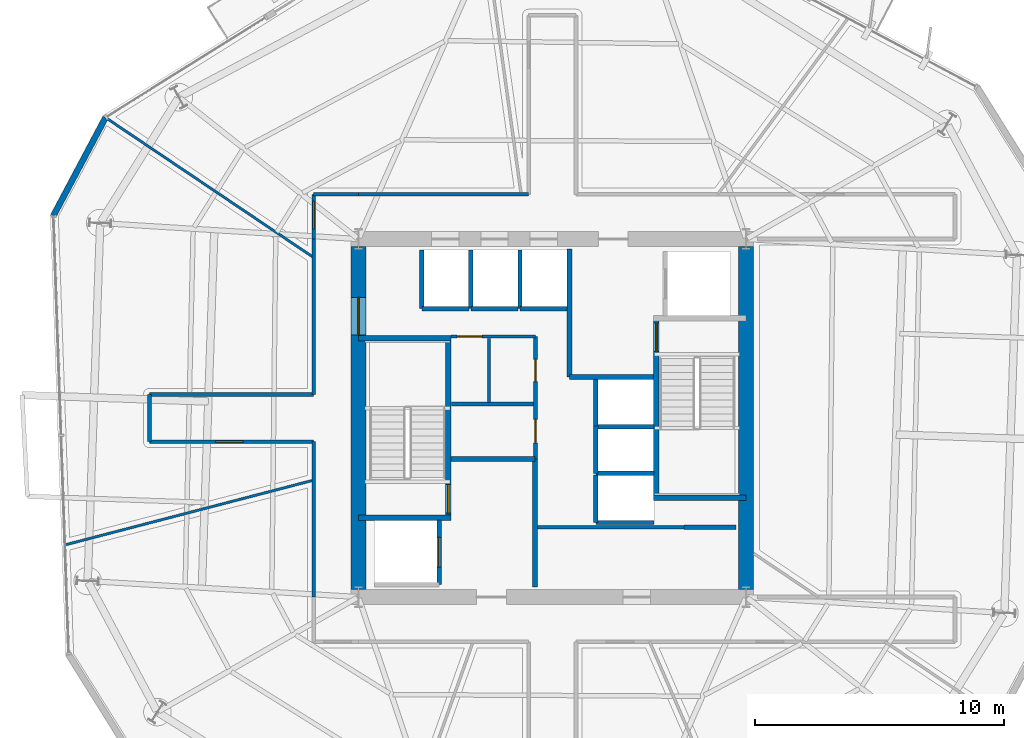
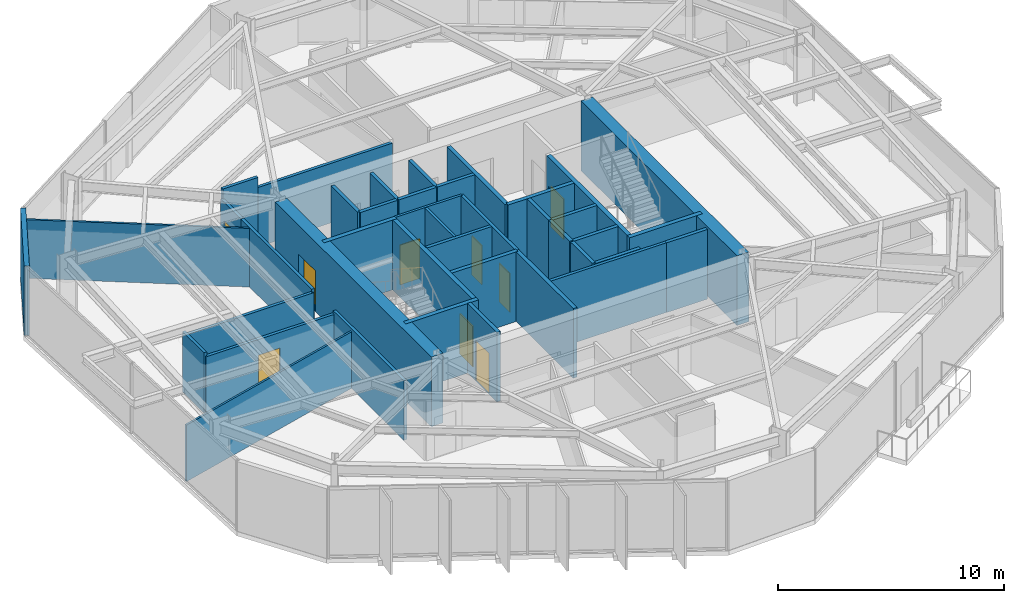
# One storey, part 7 of 12: 41 walls, 9 doors, 9 openings.
"""IFC4 building model written with IfcOpenShell, lengths in metres."""

from ifc_helpers import new_model, si_unit, direction, frame, frame_2d, origin, place, context, subcontext, project, spatial, rectangle, extrude, material, layer, layer_set, type_object, element, fill, save


model = new_model("IFC4")

# Units and contexts
model_context = context("Model", 3, precision=1e-05, world=origin(), true_north=direction((0.0, 1.0)))
body_context = subcontext(model_context, "Body", "Model", "MODEL_VIEW")
ifc_project = project(units=[si_unit("LENGTHUNIT", "METRE"), si_unit("AREAUNIT", "SQUARE_METRE"), si_unit("VOLUMEUNIT", "CUBIC_METRE"), si_unit("PLANEANGLEUNIT", "RADIAN"), si_unit("MASSUNIT", "GRAM", prefix="KILO")], contexts=[model_context])

# Site, building, storey
site_placement = place(None, origin())
site = spatial("IfcSite", under=ifc_project, at=site_placement, CompositionType="ELEMENT")
building_placement = place(site_placement, origin())
building = spatial("IfcBuilding", under=site, at=building_placement, Name="Kranzbogen Civic Tower", CompositionType="ELEMENT")
storey_placement = place(building_placement, frame((0.0, 0.0, 150.39990234375)))
storey = spatial("IfcBuildingStorey", under=building, at=storey_placement, Name="L36", CompositionType="ELEMENT", Elevation=150.39990234375)

# Walls
ifc_material_1 = material(Name="Double-Stud Acoustic Gypsum Partition")
ifc_layer_1 = layer(ifc_material_1, 0.14990234375, Name="Double-Stud Acoustic Gypsum Partition")
ifc_layer_set_1 = layer_set([ifc_layer_1], Name="Double-Stud Acoustic Gypsum Partition")
wall_type_1 = type_object("IfcWallType", Name="Acoustic Corridor and Clinical Partition 150 mm", PredefinedType="PARTITIONING", material=ifc_layer_set_1)
wall_1_placement = place(storey_placement, frame((24.39990234375, 20.610107421875, 0.0), z_axis=(0.0, 0.0, 1.0), x_axis=(1.0, 0.0, 0.0)))
element("IfcWall", 1, at=wall_1_placement, inside=storey, type_object=wall_type_1, Name="L36 records zone North wall", PredefinedType="PARTITIONING", context=body_context, shape_type="SweptSolid", body=[
    extrude(rectangle(XDim=5.900146484375, YDim=0.14990234375, at=frame_2d((2.9501953125, 0.0))), origin(), (0.0, 0.0, 1.0), 3.760009765625),
])
wall_2_placement = place(storey_placement, frame((15.39990234375, 17.800048828125, 0.0), z_axis=(0.0, 0.0, 1.0), x_axis=(0.0, 1.0, 0.0)))
element("IfcWall", 2, at=wall_2_placement, inside=storey, type_object=wall_type_1, Name="L36 corridor partition 03", PredefinedType="PARTITIONING", context=body_context, shape_type="SweptSolid", body=[
    extrude(rectangle(XDim=6.25, YDim=0.14990234375, at=frame_2d((3.125, 0.0))), origin(), (0.0, 0.0, 1.0), 3.210205078125),
])

# Wall, opening, door
wall_3_placement = place(storey_placement, frame((15.39990234375, 24.050048828125, 0.0), z_axis=(0.0, 0.0, 1.0), x_axis=(-1.0, 0.0, 0.0)))
wall_3 = element("IfcWall", 3, at=wall_3_placement, inside=storey, type_object=wall_type_1, Name="L36 corridor partition 04", PredefinedType="PARTITIONING", context=body_context, shape_type="SweptSolid", body=[
    extrude(rectangle(XDim=6.599853515625, YDim=0.14990234375, at=frame_2d((3.2998046875, 0.0))), origin(), (0.0, 0.0, 1.0), 3.050048828125),
])
opening_1_placement = place(wall_3_placement, frame((2.839111328125, 0.0, 0.0)))
opening_1 = element("IfcOpeningElement", 4, at=opening_1_placement, cuts=wall_3, Name="Opening D-COR60", PredefinedType="OPENING", context=body_context, shape_type="SweptSolid", body=[
    extrude(rectangle(XDim=1.10009765625, YDim=2.199951171875, at=frame_2d((0.550048828125, 1.10009765625))), frame((0.0, 0.0849609375, 0.0), z_axis=(0.0, -1.0, 0.0), x_axis=(1.0, 0.0, 0.0)), (0.0, 0.0, 1.0), 0.169921875),
])
ifc_material_2 = material(Name="Oak Timber and Fire Core", Category="wood")
door_type_1 = type_object("IfcDoorType", Name="Corridor Acoustic Fire Door 1100x2200", OperationType="NOTDEFINED", PredefinedType="DOOR", material=ifc_material_2)
door_1_placement = place(opening_1_placement, origin())
door_1 = element("IfcDoor", 5, at=door_1_placement, inside=storey, type_object=door_type_1, Name="L36 Ministerial Policy Office door", OperationType="SINGLE_SWING_LEFT", OverallHeight=2.199951171875, OverallWidth=1.10009765625, PredefinedType="DOOR", context=body_context, shape_type="SweptSolid", body=[
    extrude(rectangle(XDim=1.10009765625, YDim=2.199951171875, at=frame_2d((0.550048828125, 1.10009765625))), frame((0.0, 0.02490234375, 0.0), z_axis=(0.0, -1.0, 0.0), x_axis=(1.0, 0.0, 0.0)), (0.0, 0.0, 1.0), 0.050048828125),
])
fill(opening_1, door_1)

# Walls
wall_4_placement = place(storey_placement, frame((8.800048828125, 24.050048828125, 0.0), z_axis=(0.0, 0.0, 1.0), x_axis=(0.0, 1.0, 0.0)))
element("IfcWall", 6, at=wall_4_placement, inside=storey, type_object=wall_type_1, Name="L36 corridor partition 05", PredefinedType="PARTITIONING", context=body_context, shape_type="SweptSolid", body=[
    extrude(rectangle(XDim=1.89990234375, YDim=0.14990234375, at=frame_2d((0.949951171875, 0.0))), origin(), (0.0, 0.0, 1.0), 3.25),
])
wall_5_placement = place(storey_placement, frame((8.800048828125, 25.949951171875, 0.0), z_axis=(0.0, 0.0, 1.0), x_axis=(1.0, 0.0, 0.0)))
element("IfcWall", 7, at=wall_5_placement, inside=storey, type_object=wall_type_1, Name="L36 corridor partition 06", PredefinedType="PARTITIONING", context=body_context, shape_type="SweptSolid", body=[
    extrude(rectangle(XDim=6.599853515625, YDim=0.14990234375, at=frame_2d((3.2998046875, 0.0))), origin(), (0.0, 0.0, 1.0), 3.050048828125),
])
wall_6_placement = place(storey_placement, frame((15.39990234375, 25.949951171875, 0.0), z_axis=(0.0, 0.0, 1.0), x_axis=(0.0, 1.0, 0.0)))
element("IfcWall", 8, at=wall_6_placement, inside=storey, type_object=wall_type_1, Name="L36 corridor partition 07", PredefinedType="PARTITIONING", context=body_context, shape_type="SweptSolid", body=[
    extrude(rectangle(XDim=6.25, YDim=0.14990234375, at=frame_2d((3.125, 0.0))), origin(), (0.0, 0.0, 1.0), 3.210205078125),
])

# Wall, opening, door
wall_7_placement = place(storey_placement, frame((15.39990234375, 32.199951171875, 0.0), z_axis=(0.0, 0.0, 1.0), x_axis=(0.0, 1.0, 0.0)))
wall_7 = element("IfcWall", 9, at=wall_7_placement, inside=storey, type_object=wall_type_1, Name="L36 corridor partition 08", PredefinedType="PARTITIONING", context=body_context, shape_type="SweptSolid", body=[
    extrude(rectangle(XDim=1.800048828125, YDim=0.14990234375, at=frame_2d((0.89990234375, 0.0))), origin(), (0.0, 0.0, 1.0), 3.210205078125),
])
opening_2_placement = place(wall_7_placement, frame((0.4130859375, 0.0, 0.0)))
opening_2 = element("IfcOpeningElement", 10, at=opening_2_placement, cuts=wall_7, Name="Opening D-COR60", PredefinedType="OPENING", context=body_context, shape_type="SweptSolid", body=[
    extrude(rectangle(XDim=1.10009765625, YDim=2.199951171875, at=frame_2d((0.550048828125, 1.10009765625))), frame((0.0, 0.0849609375, 0.0), z_axis=(0.0, -1.0, 0.0), x_axis=(1.0, 0.0, 0.0)), (0.0, 0.0, 1.0), 0.169921875),
])
door_2_placement = place(opening_2_placement, origin())
door_2 = element("IfcDoor", 11, at=door_2_placement, inside=storey, type_object=door_type_1, Name="L36 Duty Crew Control Room door", OperationType="SINGLE_SWING_RIGHT", OverallHeight=2.199951171875, OverallWidth=1.10009765625, PredefinedType="DOOR", context=body_context, shape_type="SweptSolid", body=[
    extrude(rectangle(XDim=1.10009765625, YDim=2.199951171875, at=frame_2d((0.550048828125, 1.10009765625))), frame((0.0, 0.02490234375, 0.0), z_axis=(0.0, -1.0, 0.0), x_axis=(1.0, 0.0, 0.0)), (0.0, 0.0, 1.0), 0.050048828125),
])
fill(opening_2, door_2)

# Walls
wall_8_placement = place(storey_placement, frame((15.39990234375, 34.0, 0.0), z_axis=(0.0, 0.0, 1.0), x_axis=(1.0, 0.0, 0.0)))
element("IfcWall", 12, at=wall_8_placement, inside=storey, type_object=wall_type_1, Name="L36 corridor partition 09", PredefinedType="PARTITIONING", context=body_context, shape_type="SweptSolid", body=[
    extrude(rectangle(XDim=1.800048828125, YDim=0.14990234375, at=frame_2d((0.89990234375, 0.0))), origin(), (0.0, 0.0, 1.0), 3.760009765625),
])
wall_9_placement = place(storey_placement, frame((17.199951171875, 34.0, 0.0), z_axis=(0.0, 0.0, 1.0), x_axis=(1.0, 0.0, 0.0)))
element("IfcWall", 13, at=wall_9_placement, inside=storey, type_object=wall_type_1, Name="L36 corridor partition 10", PredefinedType="PARTITIONING", context=body_context, shape_type="SweptSolid", body=[
    extrude(rectangle(XDim=6.85009765625, YDim=0.14990234375, at=frame_2d((3.425048828125, 0.0))), origin(), (0.0, 0.0, 1.0), 3.210205078125),
])

# Wall, opening, door
ifc_material_3 = material(Name="Insulated Metal-Stud Gypsum Partition")
ifc_layer_2 = layer(ifc_material_3, 0.125, Name="Insulated Metal-Stud Gypsum Partition")
ifc_layer_set_2 = layer_set([ifc_layer_2], Name="Insulated Metal-Stud Gypsum Partition")
wall_type_2 = type_object("IfcWallType", Name="Acoustic Inter-Room Partition 125 mm", PredefinedType="PARTITIONING", material=ifc_layer_set_2)
wall_10_placement = place(storey_placement, frame((20.919921875, 28.280029296875, 0.0), z_axis=(0.0, 0.0, 1.0), x_axis=(1.0, 0.0, 0.0)))
wall_10 = element("IfcWall", 14, at=wall_10_placement, inside=storey, type_object=wall_type_2, Name="L36 core auxiliary North wall", PredefinedType="PARTITIONING", context=body_context, shape_type="SweptSolid", body=[
    extrude(rectangle(XDim=3.405029296875, YDim=0.125, at=frame_2d((1.70263671875, 0.0))), origin(), (0.0, 0.0, 1.0), 3.760009765625),
])
opening_3_placement = place(wall_10_placement, frame((0.2548828125, 0.0, 0.0)))
opening_3 = element("IfcOpeningElement", 15, at=opening_3_placement, cuts=wall_10, Name="Opening D-RSR10", PredefinedType="OPENING", context=body_context, shape_type="SweptSolid", body=[
    extrude(rectangle(XDim=1.0, YDim=2.14990234375, at=frame_2d((0.5, 1.074951171875))), frame((0.0, 0.072509765625, 0.0), z_axis=(0.0, -1.0, 0.0), x_axis=(1.0, 0.0, 0.0)), (0.0, 0.0, 1.0), 0.14501953125),
])
door_type_2 = type_object("IfcDoorType", Name="Core Archive and Riser Fire Door 1000x2150", OperationType="NOTDEFINED", PredefinedType="DOOR", material=ifc_material_2)
door_3_placement = place(opening_3_placement, origin())
door_3 = element("IfcDoor", 16, at=door_3_placement, inside=storey, type_object=door_type_2, Name="L36 Telecom and Riser Room door", OperationType="SINGLE_SWING_RIGHT", OverallHeight=2.14990234375, OverallWidth=1.0, PredefinedType="DOOR", context=body_context, shape_type="SweptSolid", body=[
    extrude(rectangle(XDim=1.0, YDim=2.14990234375, at=frame_2d((0.5, 1.074951171875))), frame((0.0, 0.02490234375, 0.0), z_axis=(0.0, -1.0, 0.0), x_axis=(1.0, 0.0, 0.0)), (0.0, 0.0, 1.0), 0.050048828125),
])
fill(opening_3, door_3)

# Wall
wall_11_placement = place(storey_placement, frame((22.4599609375, 25.6201171875, 0.0), z_axis=(0.0, 0.0, 1.0), x_axis=(0.0, 1.0, 0.0)))
element("IfcWall", 17, at=wall_11_placement, inside=storey, type_object=wall_type_2, Name="L36 core auxiliary partition 2", PredefinedType="PARTITIONING", context=body_context, shape_type="SweptSolid", body=[
    extrude(rectangle(XDim=2.579833984375, YDim=0.125, at=frame_2d((1.2900390625, 0.0))), origin(), (0.0, 0.0, 1.0), 3.760009765625),
])

# Wall, opening, door
ifc_material_4 = material(Name="Concrete C55/67", Category="concrete")
ifc_layer_3 = layer(ifc_material_4, 0.60009765625, Name="Concrete C55/67")
ifc_layer_set_3 = layer_set([ifc_layer_3], Name="Concrete C55/67")
wall_type_3 = type_object("IfcWallType", Name="Central Core Shear Wall 600 mm", PredefinedType="SHEAR", material=ifc_layer_set_3)
wall_12_placement = place(storey_placement, frame((17.199951171875, 31.89990234375, 0.0), z_axis=(0.0, 0.0, 1.0), x_axis=(0.0, -1.0, 0.0)))
wall_12 = element("IfcWall", 18, at=wall_12_placement, inside=storey, type_object=wall_type_3, Name="L36 central core West shear wall", PredefinedType="SHEAR", context=body_context, shape_type="SweptSolid", body=[
    extrude(rectangle(XDim=13.7998046875, YDim=0.60009765625, at=frame_2d((6.89990234375, 0.0))), origin(), (0.0, 0.0, 1.0), 3.760009765625),
])
opening_4_placement = place(wall_12_placement, frame((2.050048828125, 0.0, 0.0)))
opening_4 = element("IfcOpeningElement", 19, at=opening_4_placement, cuts=wall_12, Name="Opening D-DBL15", PredefinedType="OPENING", context=body_context, shape_type="SweptSolid", body=[
    extrude(rectangle(XDim=1.5, YDim=2.199951171875, at=frame_2d((0.75, 1.10009765625))), frame((0.0, 0.31005859375, 0.0), z_axis=(0.0, -1.0, 0.0), x_axis=(1.0, 0.0, 0.0)), (0.0, 0.0, 1.0), 0.6201171875),
])
ifc_material_5 = material(Name="Anodised Bronze and Glass", Category="glass")
door_type_3 = type_object("IfcDoorType", Name="Civic Lobby Double Door 1500x2200", OperationType="DOUBLE_DOOR_SINGLE_SWING", PredefinedType="DOOR", material=ifc_material_5)
door_4_placement = place(opening_4_placement, origin())
door_4 = element("IfcDoor", 20, at=door_4_placement, inside=storey, type_object=door_type_3, Name="L36 Central Lift Lobby West concourse door", OperationType="DOUBLE_DOOR_SINGLE_SWING", OverallHeight=2.199951171875, OverallWidth=1.5, PredefinedType="DOOR", context=body_context, shape_type="SweptSolid", body=[
    extrude(rectangle(XDim=1.5, YDim=2.199951171875, at=frame_2d((0.75, 1.10009765625))), frame((0.0, 0.02490234375, 0.0), z_axis=(0.0, -1.0, 0.0), x_axis=(1.0, 0.0, 0.0)), (0.0, 0.0, 1.0), 0.050048828125),
])
fill(opening_4, door_4)

# Wall
wall_13_placement = place(storey_placement, frame((32.800048828125, 18.10009765625, 0.0), z_axis=(0.0, 0.0, 1.0), x_axis=(0.0, 1.0, 0.0)))
element("IfcWall", 21, at=wall_13_placement, inside=storey, type_object=wall_type_3, Name="L36 central core East shear wall", PredefinedType="SHEAR", context=body_context, shape_type="SweptSolid", body=[
    extrude(rectangle(XDim=13.7998046875, YDim=0.60009765625, at=frame_2d((6.89990234375, 0.0))), origin(), (0.0, 0.0, 1.0), 3.760009765625),
])

# Wall, opening, door
ifc_material_6 = material(Name="Concrete C45/55", Category="concrete")
ifc_layer_4 = layer(ifc_material_6, 0.219970703125, Name="Concrete C45/55")
ifc_layer_set_4 = layer_set([ifc_layer_4], Name="Concrete C45/55")
wall_type_4 = type_object("IfcWallType", Name="Core Internal Stair Structural Wall 220 mm", PredefinedType="SOLIDWALL", material=ifc_layer_set_4)
wall_14_placement = place(storey_placement, frame((20.81005859375, 20.989990234375, 0.0), z_axis=(0.0, 0.0, 1.0), x_axis=(0.0, 1.0, 0.0)))
wall_14 = element("IfcWall", 22, at=wall_14_placement, inside=storey, type_object=wall_type_4, Name="L36 ST-T1 East structural stair wall", PredefinedType="SOLIDWALL", context=body_context, shape_type="SweptSolid", body=[
    extrude(rectangle(XDim=7.219970703125, YDim=0.219970703125, at=frame_2d((3.60986328125, 0.0))), origin(), (0.0, 0.0, 1.0), 3.760009765625),
])
opening_5_placement = place(wall_14_placement, frame((0.179931640625, 0.0, 0.0)))
opening_5 = element("IfcOpeningElement", 23, at=opening_5_placement, cuts=wall_14, Name="Opening D-ST90", PredefinedType="OPENING", context=body_context, shape_type="SweptSolid", body=[
    extrude(rectangle(XDim=1.14990234375, YDim=2.199951171875, at=frame_2d((0.574951171875, 1.10009765625))), frame((0.0, 0.1201171875, 0.0), z_axis=(0.0, -1.0, 0.0), x_axis=(1.0, 0.0, 0.0)), (0.0, 0.0, 1.0), 0.239990234375),
])
ifc_material_7 = material(Name="Steel S355", Category="steel")
door_type_4 = type_object("IfcDoorType", Name="Pressurized Stair and Lobby Fire Door 1150x2200", OperationType="NOTDEFINED", PredefinedType="DOOR", material=ifc_material_7)
door_5_placement = place(opening_5_placement, origin())
door_5 = element("IfcDoor", 24, at=door_5_placement, inside=storey, type_object=door_type_4, Name="L36 Stair ST-T1 fire door", OperationType="SINGLE_SWING_LEFT", OverallHeight=2.199951171875, OverallWidth=1.14990234375, PredefinedType="DOOR", context=body_context, shape_type="SweptSolid", body=[
    extrude(rectangle(XDim=1.14990234375, YDim=2.199951171875, at=frame_2d((0.574951171875, 1.10009765625))), frame((0.0, 0.02490234375, 0.0), z_axis=(0.0, -1.0, 0.0), x_axis=(1.0, 0.0, 0.0)), (0.0, 0.0, 1.0), 0.050048828125),
])
fill(opening_5, door_5)

# Walls
for number, where, z_axis, x_axis, name in (
    (25, (17.199951171875, 20.989990234375, 0.0), (0.0, 0.0, 1.0), (1.0, 0.0, 0.0), "L36 ST-T1 South structural stair wall"),
    (26, (17.199951171875, 28.2099609375, 0.0), (0.0, 0.0, 1.0), (1.0, 0.0, 0.0), "L36 ST-T1 North structural stair wall"),
):
    element("IfcWall", number, at=place(storey_placement, frame(where, z_axis=z_axis, x_axis=x_axis)), inside=storey, type_object=wall_type_4, Name=name, PredefinedType="SOLIDWALL", context=body_context, shape_type="SweptSolid", body=[
        extrude(rectangle(XDim=3.719970703125, YDim=0.219970703125, at=frame_2d((1.85986328125, 0.0))), origin(), (0.0, 0.0, 1.0), 3.760009765625),
    ])

# Wall, opening, door
wall_15_placement = place(storey_placement, frame((29.18994140625, 21.7900390625, 0.0), z_axis=(0.0, 0.0, 1.0), x_axis=(0.0, 1.0, 0.0)))
wall_15 = element("IfcWall", 27, at=wall_15_placement, inside=storey, type_object=wall_type_4, Name="L36 ST-T2 West structural stair wall", PredefinedType="SOLIDWALL", context=body_context, shape_type="SweptSolid", body=[
    extrude(rectangle(XDim=7.219970703125, YDim=0.219970703125, at=frame_2d((3.60986328125, 0.0))), origin(), (0.0, 0.0, 1.0), 3.760009765625),
])
opening_6_placement = place(wall_15_placement, frame((5.8798828125, 0.0, 0.0)))
opening_6 = element("IfcOpeningElement", 28, at=opening_6_placement, cuts=wall_15, Name="Opening D-ST90", PredefinedType="OPENING", context=body_context, shape_type="SweptSolid", body=[
    extrude(rectangle(XDim=1.14990234375, YDim=2.199951171875, at=frame_2d((0.574951171875, 1.10009765625))), frame((0.0, 0.1201171875, 0.0), z_axis=(0.0, -1.0, 0.0), x_axis=(1.0, 0.0, 0.0)), (0.0, 0.0, 1.0), 0.239990234375),
])
door_6_placement = place(opening_6_placement, origin())
door_6 = element("IfcDoor", 29, at=door_6_placement, inside=storey, type_object=door_type_4, Name="L36 Stair ST-T2 fire door", OperationType="SINGLE_SWING_RIGHT", OverallHeight=2.199951171875, OverallWidth=1.14990234375, PredefinedType="DOOR", context=body_context, shape_type="SweptSolid", body=[
    extrude(rectangle(XDim=1.14990234375, YDim=2.199951171875, at=frame_2d((0.574951171875, 1.10009765625))), frame((0.0, 0.02490234375, 0.0), z_axis=(0.0, -1.0, 0.0), x_axis=(1.0, 0.0, 0.0)), (0.0, 0.0, 1.0), 0.050048828125),
])
fill(opening_6, door_6)

# Walls
wall_16_placement = place(storey_placement, frame((29.080078125, 21.7900390625, 0.0), z_axis=(0.0, 0.0, 1.0), x_axis=(1.0, 0.0, 0.0)))
element("IfcWall", 30, at=wall_16_placement, inside=storey, type_object=wall_type_4, Name="L36 ST-T2 South structural stair wall", PredefinedType="SOLIDWALL", context=body_context, shape_type="SweptSolid", body=[
    extrude(rectangle(XDim=3.719970703125, YDim=0.219970703125, at=frame_2d((1.85986328125, 0.0))), origin(), (0.0, 0.0, 1.0), 3.760009765625),
])
ifc_material_8 = material(Name="Demountable Aluminium and Gypsum Partition", Category="aluminium")
ifc_layer_5 = layer(ifc_material_8, 0.10009765625, Name="Demountable Aluminium and Gypsum Partition")
ifc_layer_set_5 = layer_set([ifc_layer_5], Name="Demountable Aluminium and Gypsum Partition")
wall_type_5 = type_object("IfcWallType", Name="Demountable Office Partition 100 mm", PredefinedType="MOVABLE", material=ifc_layer_set_5)
wall_17_placement = place(storey_placement, frame((15.39990234375, 31.45703125, 0.0), z_axis=(0.0, 0.0, 1.0), x_axis=(-0.829771318012, 0.558103538607, 0.0)))
element("IfcWall", 31, at=wall_17_placement, inside=storey, type_object=wall_type_5, Name="L36 radial room partition 03", PredefinedType="MOVABLE", context=body_context, shape_type="SweptSolid", body=[
    extrude(rectangle(XDim=10.06787109375, YDim=0.10009765625, at=frame_2d((5.033935546875, 0.0))), origin(), (0.0, 0.0, 1.0), 3.16015625),
])
wall_18_placement = place(storey_placement, frame((15.39990234375, 22.5009765625, 0.0), z_axis=(0.0, 0.0, 1.0), x_axis=(-0.96772970211, -0.251990522945, 0.0)))
element("IfcWall", 32, at=wall_18_placement, inside=storey, type_object=wall_type_5, Name="L36 radial room partition 04", PredefinedType="MOVABLE", context=body_context, shape_type="SweptSolid", body=[
    extrude(rectangle(XDim=10.322021484375, YDim=0.10009765625, at=frame_2d((5.1611328125, 0.0))), origin(), (0.0, 0.0, 1.0), 3.050048828125),
])
ifc_material_9 = material(Name="Gypsum Fireboard and Concrete Block", Category="concrete")
ifc_layer_6 = layer(ifc_material_9, 0.199951171875, Name="Gypsum Fireboard and Concrete Block")
ifc_layer_set_6 = layer_set([ifc_layer_6], Name="Gypsum Fireboard and Concrete Block")
wall_type_6 = type_object("IfcWallType", Name="Fire-Rated Exit Passageway and Stair Wall 200 mm", PredefinedType="PARTITIONING", material=ifc_layer_set_6)
wall_19_placement = place(storey_placement, frame((24.300048828125, 18.199951171875, 0.0), z_axis=(0.0, 0.0, 1.0), x_axis=(0.0, 1.0, 0.0)))
element("IfcWall", 33, at=wall_19_placement, inside=storey, type_object=wall_type_6, Name="L36 West firefighting lobby East wall", PredefinedType="PARTITIONING", context=body_context, shape_type="SweptSolid", body=[
    extrude(rectangle(XDim=5.150146484375, YDim=0.199951171875, at=frame_2d((2.5751953125, 0.0))), origin(), (0.0, 0.0, 1.0), 3.760009765625),
])
wall_20_placement = place(storey_placement, frame((20.919921875, 23.35009765625, 0.0), z_axis=(0.0, 0.0, 1.0), x_axis=(1.0, 0.0, 0.0)))
element("IfcWall", 34, at=wall_20_placement, inside=storey, type_object=wall_type_6, Name="L36 West firefighting lobby North wall", PredefinedType="PARTITIONING", context=body_context, shape_type="SweptSolid", body=[
    extrude(rectangle(XDim=3.380126953125, YDim=0.199951171875, at=frame_2d((1.68994140625, 0.0))), origin(), (0.0, 0.0, 1.0), 3.760009765625),
])
wall_21_placement = place(storey_placement, frame((25.699951171875, 26.64990234375, 0.0), z_axis=(0.0, 0.0, 1.0), x_axis=(0.0, 1.0, 0.0)))
element("IfcWall", 35, at=wall_21_placement, inside=storey, type_object=wall_type_6, Name="L36 East firefighting lobby West wall", PredefinedType="PARTITIONING", context=body_context, shape_type="SweptSolid", body=[
    extrude(rectangle(XDim=5.150146484375, YDim=0.199951171875, at=frame_2d((2.5751953125, 0.0))), origin(), (0.0, 0.0, 1.0), 3.760009765625),
])
wall_22_placement = place(storey_placement, frame((25.699951171875, 26.64990234375, 0.0), z_axis=(0.0, 0.0, 1.0), x_axis=(1.0, 0.0, 0.0)))
element("IfcWall", 36, at=wall_22_placement, inside=storey, type_object=wall_type_6, Name="L36 East firefighting lobby South wall", PredefinedType="PARTITIONING", context=body_context, shape_type="SweptSolid", body=[
    extrude(rectangle(XDim=3.380126953125, YDim=0.199951171875, at=frame_2d((1.68994140625, 0.0))), origin(), (0.0, 0.0, 1.0), 3.760009765625),
])
ifc_material_10 = material(Name="Gypsum Fireboard Shaftliner")
ifc_layer_7 = layer(ifc_material_10, 0.175048828125, Name="Gypsum Fireboard Shaftliner")
ifc_layer_set_7 = layer_set([ifc_layer_7], Name="Gypsum Fireboard Shaftliner")
wall_type_7 = type_object("IfcWallType", Name="Fire-Rated Lift and Service Shaft Wall 175 mm", PredefinedType="PARTITIONING", material=ifc_layer_set_7)
wall_23_placement = place(storey_placement, frame((30.300048828125, 20.610107421875, 0.0), z_axis=(0.0, 0.0, 1.0), x_axis=(1.0, 0.0, 0.0)))
element("IfcWall", 37, at=wall_23_placement, inside=storey, type_object=wall_type_7, Name="L36 merged archive North wall", PredefinedType="PARTITIONING", context=body_context, shape_type="SweptSolid", body=[
    extrude(rectangle(XDim=2.099853515625, YDim=0.175048828125, at=frame_2d((1.0498046875, 0.0))), origin(), (0.0, 0.0, 1.0), 3.760009765625),
])
wall_24_placement = place(storey_placement, frame((19.75, 29.39990234375, 0.0), z_axis=(0.0, 0.0, 1.0), x_axis=(1.0, 0.0, 0.0)))
element("IfcWall", 38, at=wall_24_placement, inside=storey, type_object=wall_type_7, Name="L36 lift MP-01 rear wall", PredefinedType="PARTITIONING", context=body_context, shape_type="SweptSolid", body=[
    extrude(rectangle(XDim=1.89990234375, YDim=0.175048828125, at=frame_2d((0.949951171875, 0.0))), origin(), (0.0, 0.0, 1.0), 3.760009765625),
])
wall_25_placement = place(storey_placement, frame((19.75, 29.39990234375, 0.0), z_axis=(0.0, 0.0, 1.0), x_axis=(0.0, 1.0, 0.0)))
element("IfcWall", 39, at=wall_25_placement, inside=storey, type_object=wall_type_7, Name="L36 lift MP-01 side wall", PredefinedType="PARTITIONING", context=body_context, shape_type="SweptSolid", body=[
    extrude(rectangle(XDim=2.35009765625, YDim=0.175048828125, at=frame_2d((1.175048828125, 0.0))), origin(), (0.0, 0.0, 1.0), 3.760009765625),
])
wall_26_placement = place(storey_placement, frame((21.72509765625, 29.39990234375, 0.0), z_axis=(0.0, 0.0, 1.0), x_axis=(1.0, 0.0, 0.0)))
element("IfcWall", 40, at=wall_26_placement, inside=storey, type_object=wall_type_7, Name="L36 lift MP-02 rear wall", PredefinedType="PARTITIONING", context=body_context, shape_type="SweptSolid", body=[
    extrude(rectangle(XDim=1.89990234375, YDim=0.175048828125, at=frame_2d((0.949951171875, 0.0))), origin(), (0.0, 0.0, 1.0), 3.760009765625),
])
wall_27_placement = place(storey_placement, frame((21.72509765625, 29.39990234375, 0.0), z_axis=(0.0, 0.0, 1.0), x_axis=(0.0, 1.0, 0.0)))
element("IfcWall", 41, at=wall_27_placement, inside=storey, type_object=wall_type_7, Name="L36 lift MP-02 side wall", PredefinedType="PARTITIONING", context=body_context, shape_type="SweptSolid", body=[
    extrude(rectangle(XDim=2.35009765625, YDim=0.175048828125, at=frame_2d((1.175048828125, 0.0))), origin(), (0.0, 0.0, 1.0), 3.760009765625),
])
wall_28_placement = place(storey_placement, frame((23.699951171875, 29.39990234375, 0.0), z_axis=(0.0, 0.0, 1.0), x_axis=(1.0, 0.0, 0.0)))
element("IfcWall", 42, at=wall_28_placement, inside=storey, type_object=wall_type_7, Name="L36 lift MP-03 rear wall", PredefinedType="PARTITIONING", context=body_context, shape_type="SweptSolid", body=[
    extrude(rectangle(XDim=1.900146484375, YDim=0.175048828125, at=frame_2d((0.9501953125, 0.0))), origin(), (0.0, 0.0, 1.0), 3.760009765625),
])
wall_29_placement = place(storey_placement, frame((23.699951171875, 29.39990234375, 0.0), z_axis=(0.0, 0.0, 1.0), x_axis=(0.0, 1.0, 0.0)))
element("IfcWall", 43, at=wall_29_placement, inside=storey, type_object=wall_type_7, Name="L36 lift MP-03 side wall", PredefinedType="PARTITIONING", context=body_context, shape_type="SweptSolid", body=[
    extrude(rectangle(XDim=2.35009765625, YDim=0.175048828125, at=frame_2d((1.175048828125, 0.0))), origin(), (0.0, 0.0, 1.0), 3.760009765625),
])
wall_30_placement = place(storey_placement, frame((26.75, 20.800048828125, 0.0), z_axis=(0.0, 0.0, 1.0), x_axis=(0.0, 1.0, 0.0)))
element("IfcWall", 44, at=wall_30_placement, inside=storey, type_object=wall_type_7, Name="L36 lift HP-01 landing wall", PredefinedType="PARTITIONING", context=body_context, shape_type="SweptSolid", body=[
    extrude(rectangle(XDim=1.89990234375, YDim=0.175048828125, at=frame_2d((0.949951171875, 0.0))), origin(), (0.0, 0.0, 1.0), 3.760009765625),
])
wall_31_placement = place(storey_placement, frame((26.75, 20.800048828125, 0.0), z_axis=(0.0, 0.0, 1.0), x_axis=(1.0, 0.0, 0.0)))
element("IfcWall", 45, at=wall_31_placement, inside=storey, type_object=wall_type_7, Name="L36 lift HP-01 side wall", PredefinedType="PARTITIONING", context=body_context, shape_type="SweptSolid", body=[
    extrude(rectangle(XDim=2.35009765625, YDim=0.175048828125, at=frame_2d((1.175048828125, 0.0))), origin(), (0.0, 0.0, 1.0), 3.760009765625),
])
wall_32_placement = place(storey_placement, frame((26.75, 22.77490234375, 0.0), z_axis=(0.0, 0.0, 1.0), x_axis=(0.0, 1.0, 0.0)))
element("IfcWall", 46, at=wall_32_placement, inside=storey, type_object=wall_type_7, Name="L36 lift HP-02 landing wall", PredefinedType="PARTITIONING", context=body_context, shape_type="SweptSolid", body=[
    extrude(rectangle(XDim=1.900146484375, YDim=0.175048828125, at=frame_2d((0.9501953125, 0.0))), origin(), (0.0, 0.0, 1.0), 3.760009765625),
])
wall_33_placement = place(storey_placement, frame((26.75, 22.77490234375, 0.0), z_axis=(0.0, 0.0, 1.0), x_axis=(1.0, 0.0, 0.0)))
element("IfcWall", 47, at=wall_33_placement, inside=storey, type_object=wall_type_7, Name="L36 lift HP-02 side wall", PredefinedType="PARTITIONING", context=body_context, shape_type="SweptSolid", body=[
    extrude(rectangle(XDim=2.35009765625, YDim=0.175048828125, at=frame_2d((1.175048828125, 0.0))), origin(), (0.0, 0.0, 1.0), 3.760009765625),
])
wall_34_placement = place(storey_placement, frame((26.75, 24.64990234375, 0.0), z_axis=(0.0, 0.0, 1.0), x_axis=(0.0, 1.0, 0.0)))
element("IfcWall", 48, at=wall_34_placement, inside=storey, type_object=wall_type_7, Name="L36 lift HP-03 landing wall", PredefinedType="PARTITIONING", context=body_context, shape_type="SweptSolid", body=[
    extrude(rectangle(XDim=1.900146484375, YDim=0.175048828125, at=frame_2d((0.9501953125, 0.0))), origin(), (0.0, 0.0, 1.0), 3.760009765625),
])
wall_35_placement = place(storey_placement, frame((26.75, 24.64990234375, 0.0), z_axis=(0.0, 0.0, 1.0), x_axis=(1.0, 0.0, 0.0)))
element("IfcWall", 49, at=wall_35_placement, inside=storey, type_object=wall_type_7, Name="L36 lift HP-03 side wall", PredefinedType="PARTITIONING", context=body_context, shape_type="SweptSolid", body=[
    extrude(rectangle(XDim=2.35009765625, YDim=0.175048828125, at=frame_2d((1.175048828125, 0.0))), origin(), (0.0, 0.0, 1.0), 3.760009765625),
])

# Wall, opening, door
wall_36_placement = place(storey_placement, frame((20.449951171875, 18.300048828125, 0.0), z_axis=(0.0, 0.0, 1.0), x_axis=(0.0, 1.0, 0.0)))
wall_36 = element("IfcWall", 50, at=wall_36_placement, inside=storey, type_object=wall_type_7, Name="L36 lift FF-01 landing wall", PredefinedType="PARTITIONING", context=body_context, shape_type="SweptSolid", body=[
    extrude(rectangle(XDim=2.599853515625, YDim=0.175048828125, at=frame_2d((1.2998046875, 0.0))), origin(), (0.0, 0.0, 1.0), 3.760009765625),
])
opening_7_placement = place(wall_36_placement, frame((0.699951171875, 0.0, 0.0)))
opening_7 = element("IfcOpeningElement", 51, at=opening_7_placement, cuts=wall_36, Name="Opening LD-FF-01", PredefinedType="OPENING", context=body_context, shape_type="SweptSolid", body=[
    extrude(rectangle(XDim=1.199951171875, YDim=2.199951171875, at=frame_2d((0.60009765625, 1.10009765625))), frame((0.0, 0.09765625, 0.0), z_axis=(0.0, -1.0, 0.0), x_axis=(1.0, 0.0, 0.0)), (0.0, 0.0, 1.0), 0.195068359375),
])
ifc_material_11 = material(Name="Pale Anodised Aluminium", Category="aluminium")
door_type_5 = type_object("IfcDoorType", Name="Firefighting and Stretcher Lift Sliding Landing Door 1200x2200", OperationType="DOUBLE_DOOR_SLIDING", PredefinedType="DOOR", material=ifc_material_11)
door_7_placement = place(opening_7_placement, origin())
door_7 = element("IfcDoor", 52, at=door_7_placement, inside=storey, type_object=door_type_5, Name="L36 lift FF-01 sliding landing door", OperationType="DOUBLE_DOOR_SLIDING", OverallHeight=2.199951171875, OverallWidth=1.199951171875, PredefinedType="DOOR", context=body_context, shape_type="SweptSolid", body=[
    extrude(rectangle(XDim=1.199951171875, YDim=2.199951171875, at=frame_2d((0.60009765625, 1.10009765625))), frame((0.0, 0.02490234375, 0.0), z_axis=(0.0, -1.0, 0.0), x_axis=(1.0, 0.0, 0.0)), (0.0, 0.0, 1.0), 0.050048828125),
])
fill(opening_7, door_7)

# Wall
ifc_layer_8 = layer(ifc_material_11, 0.239990234375, Name="Pale Anodised Aluminium")
ifc_layer_set_8 = layer_set([ifc_layer_8], Name="Pale Anodised Aluminium")
wall_type_8 = type_object("IfcWallType", Name="Insulated Aluminium Facade Portal Wall 240 mm", PredefinedType="STANDARD", material=ifc_layer_set_8)
wall_37_placement = place(storey_placement, frame((7.030029296875, 37.0869140625, 0.0), z_axis=(0.0, 0.0, 1.0), x_axis=(-0.46919913514, -0.883092391307, 0.0)))
element("IfcWall", 53, at=wall_37_placement, inside=storey, type_object=wall_type_8, Name="L36 chamfered corner facade spandrel 2", PredefinedType="STANDARD", context=body_context, shape_type="SweptSolid", body=[
    extrude(rectangle(XDim=4.4716796875, YDim=0.239990234375, at=frame_2d((2.23583984375, 0.0))), origin(), (0.0, 0.0, 1.0), 3.760009765625),
])

# Wall, openings, doors
ifc_material_12 = material(Name="Moisture-Resistant Gypsum Assembly")
ifc_layer_9 = layer(ifc_material_12, 0.159912109375, Name="Moisture-Resistant Gypsum Assembly")
ifc_layer_set_9 = layer_set([ifc_layer_9], Name="Moisture-Resistant Gypsum Assembly")
wall_type_9 = type_object("IfcWallType", Name="Sanitary and Plumbing Wet Wall 160 mm", PredefinedType="PLUMBINGWALL", material=ifc_layer_set_9)
wall_38_placement = place(storey_placement, frame((24.324951171875, 23.35009765625, 0.0), z_axis=(0.0, 0.0, 1.0), x_axis=(0.0, 1.0, 0.0)))
wall_38 = element("IfcWall", 54, at=wall_38_placement, inside=storey, type_object=wall_type_9, Name="L36 core auxiliary East wall", PredefinedType="PLUMBINGWALL", context=body_context, shape_type="SweptSolid", body=[
    extrude(rectangle(XDim=4.929931640625, YDim=0.159912109375, at=frame_2d((2.46484375, 0.0))), origin(), (0.0, 0.0, 1.0), 3.760009765625),
])
opening_8_placement = place(wall_38_placement, frame((0.64990234375, 0.0, 0.0)))
opening_8 = element("IfcOpeningElement", 55, at=opening_8_placement, cuts=wall_38, Name="Opening D-AWC95", PredefinedType="OPENING", context=body_context, shape_type="SweptSolid", body=[
    extrude(rectangle(XDim=0.949951171875, YDim=2.10009765625, at=frame_2d((0.47509765625, 1.050048828125))), frame((0.0, 0.08984375, 0.0), z_axis=(0.0, -1.0, 0.0), x_axis=(1.0, 0.0, 0.0)), (0.0, 0.0, 1.0), 0.179931640625),
])
opening_9_placement = place(wall_38_placement, frame((3.110107421875, 0.0, 0.0)))
opening_9 = element("IfcOpeningElement", 56, at=opening_9_placement, cuts=wall_38, Name="Opening D-WC90", PredefinedType="OPENING", context=body_context, shape_type="SweptSolid", body=[
    extrude(rectangle(XDim=0.89990234375, YDim=2.10009765625, at=frame_2d((0.449951171875, 1.050048828125))), frame((0.0, 0.08984375, 0.0), z_axis=(0.0, -1.0, 0.0), x_axis=(1.0, 0.0, 0.0)), (0.0, 0.0, 1.0), 0.179931640625),
])
ifc_material_13 = material(Name="Moisture-Resistant Laminate")
door_type_6 = type_object("IfcDoorType", Name="Accessible Restroom Door 950x2100", OperationType="NOTDEFINED", PredefinedType="DOOR", material=ifc_material_13)
door_8_placement = place(opening_8_placement, origin())
door_8 = element("IfcDoor", 57, at=door_8_placement, inside=storey, type_object=door_type_6, Name="L36 Accessible Restroom door", OperationType="SINGLE_SWING_LEFT", OverallHeight=2.10009765625, OverallWidth=0.949951171875, PredefinedType="DOOR", context=body_context, shape_type="SweptSolid", body=[
    extrude(rectangle(XDim=0.949951171875, YDim=2.10009765625, at=frame_2d((0.47509765625, 1.050048828125))), frame((0.0, 0.02490234375, 0.0), z_axis=(0.0, -1.0, 0.0), x_axis=(1.0, 0.0, 0.0)), (0.0, 0.0, 1.0), 0.050048828125),
])
fill(opening_8, door_8)
door_type_7 = type_object("IfcDoorType", Name="Standard Restroom and Store Door 900x2100", OperationType="NOTDEFINED", PredefinedType="DOOR", material=ifc_material_13)
door_9_placement = place(opening_9_placement, origin())
door_9 = element("IfcDoor", 58, at=door_9_placement, inside=storey, type_object=door_type_7, Name="L36 Staff Restroom door", OperationType="SINGLE_SWING_LEFT", OverallHeight=2.10009765625, OverallWidth=0.89990234375, PredefinedType="DOOR", context=body_context, shape_type="SweptSolid", body=[
    extrude(rectangle(XDim=0.89990234375, YDim=2.10009765625, at=frame_2d((0.449951171875, 1.050048828125))), frame((0.0, 0.02490234375, 0.0), z_axis=(0.0, -1.0, 0.0), x_axis=(1.0, 0.0, 0.0)), (0.0, 0.0, 1.0), 0.050048828125),
])
fill(opening_9, door_9)

# Wall
wall_39_placement = place(storey_placement, frame((20.949951171875, 25.56005859375, 0.0), z_axis=(0.0, 0.0, 1.0), x_axis=(1.0, 0.0, 0.0)))
element("IfcWall", 59, at=wall_39_placement, inside=storey, type_object=wall_type_9, Name="L36 core auxiliary partition 1", PredefinedType="PLUMBINGWALL", context=body_context, shape_type="SweptSolid", body=[
    extrude(rectangle(XDim=3.300048828125, YDim=0.159912109375, at=frame_2d((1.64990234375, 0.0))), origin(), (0.0, 0.0, 1.0), 3.760009765625),
])

save(model, "model.ifc")
